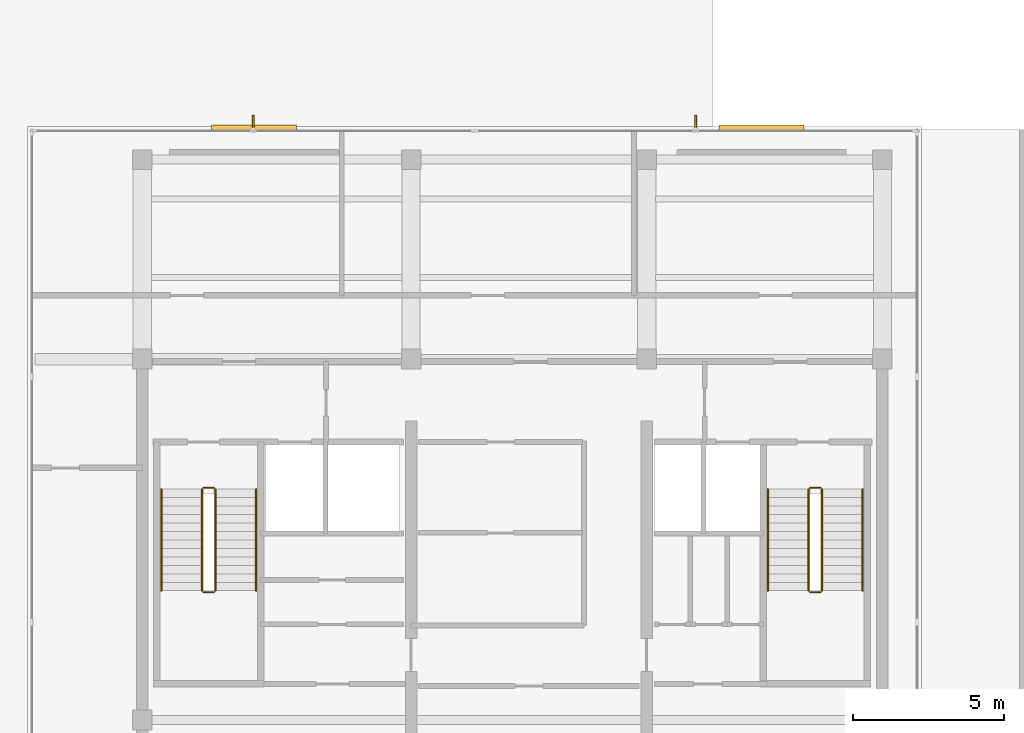
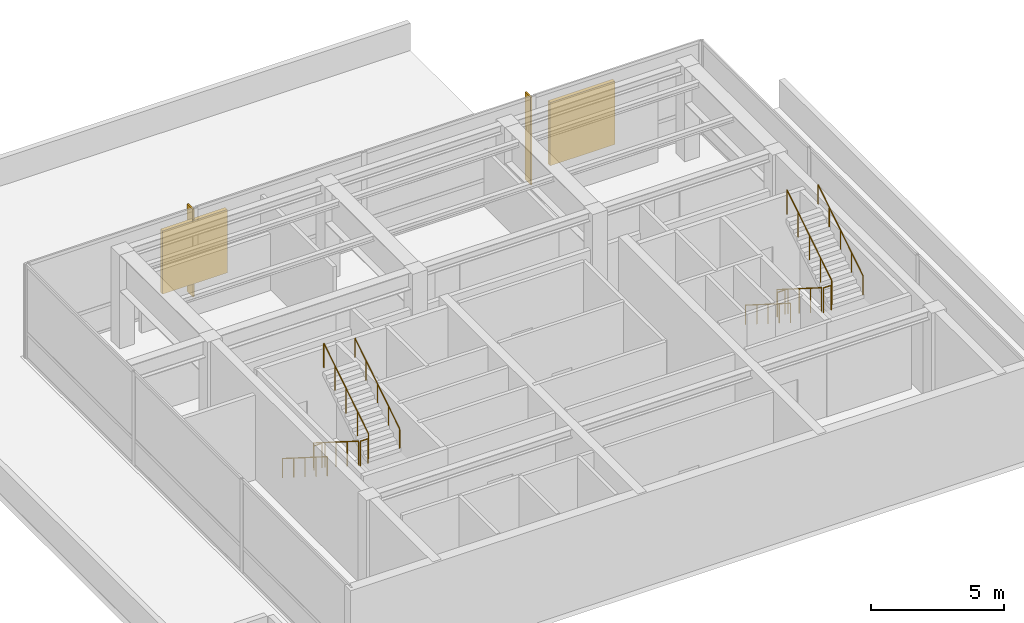
# One storey, part 6 of 6: 12 railings, 4 shading devices.
"""IFC4 building model written with IfcOpenShell, lengths in metres."""

from ifc_helpers import new_model, si_unit, direction, frame, origin, origin_2d, place, context, subcontext, project, spatial, polyline, circle, outline, extrude, material, layer, layer_set, type_object, element, save


model = new_model("IFC4")

# Units and contexts
model_context = context("Model", 3, precision=1e-05, world=origin(), true_north=direction((0.0, 1.0)))
body_context = subcontext(model_context, "Body", "Model", "MODEL_VIEW")
ifc_project = project(units=[si_unit("LENGTHUNIT", "METRE"), si_unit("AREAUNIT", "SQUARE_METRE"), si_unit("VOLUMEUNIT", "CUBIC_METRE"), si_unit("PLANEANGLEUNIT", "RADIAN"), si_unit("MASSUNIT", "GRAM", prefix="KILO")], contexts=[model_context])

# Site, building, storey
site_placement = place(None, origin())
site = spatial("IfcSite", under=ifc_project, at=site_placement, CompositionType="ELEMENT")
building_placement = place(site_placement, origin())
building = spatial("IfcBuilding", under=site, at=building_placement, Name="Qalmaran Belvedere Hotel", CompositionType="ELEMENT")
storey_placement = place(building_placement, frame((0.0, 0.0, 298.699951171875)))
storey = spatial("IfcBuildingStorey", under=building, at=storey_placement, Name="C01", CompositionType="ELEMENT", Elevation=298.699951171875)

# Shading devices
ifc_material_1 = material(Name="Anodised Bronze Aluminium", Category="aluminium")
ifc_layer_1 = layer(ifc_material_1, 0.06494140625, Name="Anodised Bronze Aluminium")
ifc_layer_set_1 = layer_set([ifc_layer_1], Name="Anodised Bronze Aluminium")
shading_device_type_1 = type_object("IfcShadingDeviceType", Name="FIN-BRNZ-420", PredefinedType="USERDEFINED", material=ifc_layer_set_1)
shading_device_1_placement = place(storey_placement, frame((0.0, 0.0, 0.16015625)))
element("IfcShadingDevice", 1, at=shading_device_1_placement, inside=storey, type_object=shading_device_type_1, Name="C01 Bronze Fin 1", ObjectType="FIN", PredefinedType="USERDEFINED", context=body_context, shape_type="SweptSolid", body=[
    extrude(outline(polyline([(38.657470703125, 28.142578125), (38.657470703125, 28.5625), (38.592529296875, 28.5625), (38.592529296875, 28.142578125), (38.657470703125, 28.142578125)])), origin(), (0.0, 0.0, 1.0), 4.019775390625),
])
shading_device_2_placement = place(storey_placement, frame((0.0, 0.0, 0.16015625)))
element("IfcShadingDevice", 2, at=shading_device_2_placement, inside=storey, type_object=shading_device_type_1, Name="C01 Bronze Fin 3", ObjectType="FIN", PredefinedType="USERDEFINED", context=body_context, shape_type="SweptSolid", body=[
    extrude(outline(polyline([(24.007568359375, 28.142578125), (24.007568359375, 28.5625), (23.9423828125, 28.5625), (23.9423828125, 28.142578125), (24.007568359375, 28.142578125)])), origin(), (0.0, 0.0, 1.0), 4.019775390625),
])
ifc_layer_2 = layer(ifc_material_1, 0.159912109375, Name="Anodised Bronze Aluminium")
ifc_layer_set_2 = layer_set([ifc_layer_2], Name="Anodised Bronze Aluminium")
shading_device_type_2 = type_object("IfcShadingDeviceType", Name="LVR-CROWN-160", PredefinedType="JALOUSIE", material=ifc_layer_set_2)
shading_device_3_placement = place(storey_placement, frame((0.0, 0.0, 0.800048828125)))
element("IfcShadingDevice", 3, at=shading_device_3_placement, inside=storey, type_object=shading_device_type_2, Name="C01 Crown Louvre 1", PredefinedType="JALOUSIE", context=body_context, shape_type="SweptSolid", body=[
    extrude(outline(polyline([(22.60009765625, 28.080078125), (25.39990234375, 28.080078125), (25.39990234375, 28.239990234375), (22.60009765625, 28.239990234375), (22.60009765625, 28.080078125)])), origin(), (0.0, 0.0, 1.0), 2.89990234375),
])
shading_device_4_placement = place(storey_placement, frame((0.0, 0.0, 0.800048828125)))
element("IfcShadingDevice", 4, at=shading_device_4_placement, inside=storey, type_object=shading_device_type_2, Name="C01 Crown Louvre 2", PredefinedType="JALOUSIE", context=body_context, shape_type="SweptSolid", body=[
    extrude(outline(polyline([(39.39990234375, 28.080078125), (42.199951171875, 28.080078125), (42.199951171875, 28.239990234375), (39.39990234375, 28.239990234375), (39.39990234375, 28.080078125)])), origin(), (0.0, 0.0, 1.0), 2.89990234375),
])

# Railings
ifc_material_2 = material(Name="Stainless Steel 1.4401", Category="steel")
railing_type_1 = type_object("IfcRailingType", Name="RLG-STAIR-GUARD-1150", PredefinedType="GUARDRAIL", material=ifc_material_2)
railing_1_placement = place(storey_placement, frame((22.280029296875, 16.18994140625, 0.177001953125)))
element("IfcRailing", 5, at=railing_1_placement, inside=storey, type_object=railing_type_1, Name="C01 ST-1 stair guard 1", PredefinedType="GUARDRAIL", context=body_context, shape_type="SweptSolid", body=[
    extrude(circle(Radius=0.02392578125, at=origin_2d()), frame((0.0, 0.0, 1.1259765625), z_axis=(0.0, -0.845372108799, 0.534177870812), x_axis=(1.0, 0.0, 0.0)), (0.0, 0.0, 1.0), 3.974365234375),
    extrude(circle(Radius=0.02099609375, at=origin_2d()), origin(), (0.0, 0.0, 1.0), 1.101806640625),
    extrude(circle(Radius=0.02099609375, at=origin_2d()), frame((0.0, -0.83984375, 0.53076171875)), (0.0, 0.0, 1.0), 1.101806640625),
    extrude(circle(Radius=0.02099609375, at=origin_2d()), frame((0.0, -1.679931640625, 1.0615234375)), (0.0, 0.0, 1.0), 1.101806640625),
    extrude(circle(Radius=0.02099609375, at=origin_2d()), frame((0.0, -2.52001953125, 1.59228515625)), (0.0, 0.0, 1.0), 1.101806640625),
    extrude(circle(Radius=0.02099609375, at=origin_2d()), frame((0.0, -3.35986328125, 2.123046875)), (0.0, 0.0, 1.0), 1.101806640625),
])
railing_2_placement = place(storey_placement, frame((22.330078125, 12.780029296875, 2.300048828125)))
element("IfcRailing", 6, at=railing_2_placement, inside=storey, type_object=railing_type_1, Name="C01 ST-1 stair guard 2", PredefinedType="GUARDRAIL", context=body_context, shape_type="SweptSolid", body=[
    extrude(circle(Radius=0.02392578125, at=origin_2d()), frame((0.0, 0.0, 1.1259765625), z_axis=(1.0, 0.0, 0.0), x_axis=(0.0, 1.0, 0.0)), (0.0, 0.0, 1.0), 0.33984375),
    extrude(circle(Radius=0.02099609375, at=origin_2d()), origin(), (0.0, 0.0, 1.0), 1.101806640625),
    extrude(circle(Radius=0.02099609375, at=origin_2d()), frame((0.33984375, 0.0, 0.0)), (0.0, 0.0, 1.0), 1.101806640625),
])
railing_3_placement = place(storey_placement, frame((22.719970703125, 12.830078125, 2.47705078125)))
element("IfcRailing", 7, at=railing_3_placement, inside=storey, type_object=railing_type_1, Name="C01 ST-1 stair guard 3", PredefinedType="GUARDRAIL", context=body_context, shape_type="SweptSolid", body=[
    extrude(circle(Radius=0.02392578125, at=origin_2d()), frame((0.0, 0.0, 1.1259765625), z_axis=(0.0, 0.845372108799, 0.534177870812), x_axis=(-1.0, 0.0, 0.0)), (0.0, 0.0, 1.0), 3.974365234375),
    extrude(circle(Radius=0.02099609375, at=origin_2d()), origin(), (0.0, 0.0, 1.0), 1.101806640625),
    extrude(circle(Radius=0.02099609375, at=origin_2d()), frame((0.0, 0.83984375, 0.53076171875)), (0.0, 0.0, 1.0), 1.101806640625),
    extrude(circle(Radius=0.02099609375, at=origin_2d()), frame((0.0, 1.679931640625, 1.0615234375)), (0.0, 0.0, 1.0), 1.101806640625),
    extrude(circle(Radius=0.02099609375, at=origin_2d()), frame((0.0, 2.52001953125, 1.59228515625)), (0.0, 0.0, 1.0), 1.101806640625),
    extrude(circle(Radius=0.02099609375, at=origin_2d()), frame((0.0, 3.35986328125, 2.123046875)), (0.0, 0.0, 1.0), 1.101806640625),
])
railing_4_placement = place(storey_placement, frame((22.330078125, 16.239990234375, 0.0)))
element("IfcRailing", 8, at=railing_4_placement, inside=storey, type_object=railing_type_1, Name="C01 ST-1 stair guard 4", PredefinedType="GUARDRAIL", context=body_context, shape_type="SweptSolid", body=[
    extrude(circle(Radius=0.02392578125, at=origin_2d()), frame((0.0, 0.0, 1.1259765625), z_axis=(1.0, 0.0, 0.0), x_axis=(0.0, 1.0, 0.0)), (0.0, 0.0, 1.0), 0.33984375),
    extrude(circle(Radius=0.02099609375, at=origin_2d()), origin(), (0.0, 0.0, 1.0), 1.101806640625),
    extrude(circle(Radius=0.02099609375, at=origin_2d()), frame((0.33984375, 0.0, 0.0)), (0.0, 0.0, 1.0), 1.101806640625),
])
railing_5_placement = place(storey_placement, frame((42.360107421875, 16.18994140625, 0.177001953125)))
element("IfcRailing", 9, at=railing_5_placement, inside=storey, type_object=railing_type_1, Name="C01 ST-2 stair guard 1", PredefinedType="GUARDRAIL", context=body_context, shape_type="SweptSolid", body=[
    extrude(circle(Radius=0.02392578125, at=origin_2d()), frame((0.0, 0.0, 1.1259765625), z_axis=(0.0, -0.845372108799, 0.534177870812), x_axis=(1.0, 0.0, 0.0)), (0.0, 0.0, 1.0), 3.974365234375),
    extrude(circle(Radius=0.02099609375, at=origin_2d()), origin(), (0.0, 0.0, 1.0), 1.101806640625),
    extrude(circle(Radius=0.02099609375, at=origin_2d()), frame((0.0, -0.83984375, 0.53076171875)), (0.0, 0.0, 1.0), 1.101806640625),
    extrude(circle(Radius=0.02099609375, at=origin_2d()), frame((0.0, -1.679931640625, 1.0615234375)), (0.0, 0.0, 1.0), 1.101806640625),
    extrude(circle(Radius=0.02099609375, at=origin_2d()), frame((0.0, -2.52001953125, 1.59228515625)), (0.0, 0.0, 1.0), 1.101806640625),
    extrude(circle(Radius=0.02099609375, at=origin_2d()), frame((0.0, -3.35986328125, 2.123046875)), (0.0, 0.0, 1.0), 1.101806640625),
])
railing_6_placement = place(storey_placement, frame((42.409912109375, 12.780029296875, 2.300048828125)))
element("IfcRailing", 10, at=railing_6_placement, inside=storey, type_object=railing_type_1, Name="C01 ST-2 stair guard 2", PredefinedType="GUARDRAIL", context=body_context, shape_type="SweptSolid", body=[
    extrude(circle(Radius=0.02392578125, at=origin_2d()), frame((0.0, 0.0, 1.1259765625), z_axis=(1.0, 0.0, 0.0), x_axis=(0.0, 1.0, 0.0)), (0.0, 0.0, 1.0), 0.340087890625),
    extrude(circle(Radius=0.02099609375, at=origin_2d()), origin(), (0.0, 0.0, 1.0), 1.101806640625),
    extrude(circle(Radius=0.02099609375, at=origin_2d()), frame((0.340087890625, 0.0, 0.0)), (0.0, 0.0, 1.0), 1.101806640625),
])
railing_7_placement = place(storey_placement, frame((42.800048828125, 12.830078125, 2.47705078125)))
element("IfcRailing", 11, at=railing_7_placement, inside=storey, type_object=railing_type_1, Name="C01 ST-2 stair guard 3", PredefinedType="GUARDRAIL", context=body_context, shape_type="SweptSolid", body=[
    extrude(circle(Radius=0.02392578125, at=origin_2d()), frame((0.0, 0.0, 1.1259765625), z_axis=(0.0, 0.845372108799, 0.534177870812), x_axis=(-1.0, 0.0, 0.0)), (0.0, 0.0, 1.0), 3.974365234375),
    extrude(circle(Radius=0.02099609375, at=origin_2d()), origin(), (0.0, 0.0, 1.0), 1.101806640625),
    extrude(circle(Radius=0.02099609375, at=origin_2d()), frame((0.0, 0.83984375, 0.53076171875)), (0.0, 0.0, 1.0), 1.101806640625),
    extrude(circle(Radius=0.02099609375, at=origin_2d()), frame((0.0, 1.679931640625, 1.0615234375)), (0.0, 0.0, 1.0), 1.101806640625),
    extrude(circle(Radius=0.02099609375, at=origin_2d()), frame((0.0, 2.52001953125, 1.59228515625)), (0.0, 0.0, 1.0), 1.101806640625),
    extrude(circle(Radius=0.02099609375, at=origin_2d()), frame((0.0, 3.35986328125, 2.123046875)), (0.0, 0.0, 1.0), 1.101806640625),
])
railing_8_placement = place(storey_placement, frame((42.409912109375, 16.239990234375, 0.0)))
element("IfcRailing", 12, at=railing_8_placement, inside=storey, type_object=railing_type_1, Name="C01 ST-2 stair guard 4", PredefinedType="GUARDRAIL", context=body_context, shape_type="SweptSolid", body=[
    extrude(circle(Radius=0.02392578125, at=origin_2d()), frame((0.0, 0.0, 1.1259765625), z_axis=(1.0, 0.0, 0.0), x_axis=(0.0, 1.0, 0.0)), (0.0, 0.0, 1.0), 0.340087890625),
    extrude(circle(Radius=0.02099609375, at=origin_2d()), origin(), (0.0, 0.0, 1.0), 1.101806640625),
    extrude(circle(Radius=0.02099609375, at=origin_2d()), frame((0.340087890625, 0.0, 0.0)), (0.0, 0.0, 1.0), 1.101806640625),
])
railing_type_2 = type_object("IfcRailingType", Name="RLG-STAIR-HAND-910", PredefinedType="HANDRAIL", material=ifc_material_2)
railing_9_placement = place(storey_placement, frame((20.929931640625, 16.18994140625, 0.177001953125)))
element("IfcRailing", 13, at=railing_9_placement, inside=storey, type_object=railing_type_2, Name="C01 ST-1 stair handrail 1", PredefinedType="HANDRAIL", context=body_context, shape_type="SweptSolid", body=[
    extrude(circle(Radius=0.02392578125, at=origin_2d()), frame((0.0, 0.0, 0.8857421875), z_axis=(0.0, -0.845372108799, 0.534177870812), x_axis=(1.0, 0.0, 0.0)), (0.0, 0.0, 1.0), 3.974365234375),
    extrude(circle(Radius=0.02099609375, at=origin_2d()), origin(), (0.0, 0.0, 1.0), 0.86181640625),
    extrude(circle(Radius=0.02099609375, at=origin_2d()), frame((0.0, -0.83984375, 0.53076171875)), (0.0, 0.0, 1.0), 0.86181640625),
    extrude(circle(Radius=0.02099609375, at=origin_2d()), frame((0.0, -1.679931640625, 1.0615234375)), (0.0, 0.0, 1.0), 0.86181640625),
    extrude(circle(Radius=0.02099609375, at=origin_2d()), frame((0.0, -2.52001953125, 1.59228515625)), (0.0, 0.0, 1.0), 0.86181640625),
    extrude(circle(Radius=0.02099609375, at=origin_2d()), frame((0.0, -3.35986328125, 2.123046875)), (0.0, 0.0, 1.0), 0.86181640625),
])
railing_10_placement = place(storey_placement, frame((24.070068359375, 12.830078125, 2.47705078125)))
element("IfcRailing", 14, at=railing_10_placement, inside=storey, type_object=railing_type_2, Name="C01 ST-1 stair handrail 2", PredefinedType="HANDRAIL", context=body_context, shape_type="SweptSolid", body=[
    extrude(circle(Radius=0.02392578125, at=origin_2d()), frame((0.0, 0.0, 0.8857421875), z_axis=(0.0, 0.845372108799, 0.534177870812), x_axis=(-1.0, 0.0, 0.0)), (0.0, 0.0, 1.0), 3.974365234375),
    extrude(circle(Radius=0.02099609375, at=origin_2d()), origin(), (0.0, 0.0, 1.0), 0.86181640625),
    extrude(circle(Radius=0.02099609375, at=origin_2d()), frame((0.0, 0.83984375, 0.53076171875)), (0.0, 0.0, 1.0), 0.86181640625),
    extrude(circle(Radius=0.02099609375, at=origin_2d()), frame((0.0, 1.679931640625, 1.0615234375)), (0.0, 0.0, 1.0), 0.86181640625),
    extrude(circle(Radius=0.02099609375, at=origin_2d()), frame((0.0, 2.52001953125, 1.59228515625)), (0.0, 0.0, 1.0), 0.86181640625),
    extrude(circle(Radius=0.02099609375, at=origin_2d()), frame((0.0, 3.35986328125, 2.123046875)), (0.0, 0.0, 1.0), 0.86181640625),
])
railing_11_placement = place(storey_placement, frame((41.010009765625, 16.18994140625, 0.177001953125)))
element("IfcRailing", 15, at=railing_11_placement, inside=storey, type_object=railing_type_2, Name="C01 ST-2 stair handrail 1", PredefinedType="HANDRAIL", context=body_context, shape_type="SweptSolid", body=[
    extrude(circle(Radius=0.02392578125, at=origin_2d()), frame((0.0, 0.0, 0.8857421875), z_axis=(0.0, -0.845372108799, 0.534177870812), x_axis=(1.0, 0.0, 0.0)), (0.0, 0.0, 1.0), 3.974365234375),
    extrude(circle(Radius=0.02099609375, at=origin_2d()), origin(), (0.0, 0.0, 1.0), 0.86181640625),
    extrude(circle(Radius=0.02099609375, at=origin_2d()), frame((0.0, -0.83984375, 0.53076171875)), (0.0, 0.0, 1.0), 0.86181640625),
    extrude(circle(Radius=0.02099609375, at=origin_2d()), frame((0.0, -1.679931640625, 1.0615234375)), (0.0, 0.0, 1.0), 0.86181640625),
    extrude(circle(Radius=0.02099609375, at=origin_2d()), frame((0.0, -2.52001953125, 1.59228515625)), (0.0, 0.0, 1.0), 0.86181640625),
    extrude(circle(Radius=0.02099609375, at=origin_2d()), frame((0.0, -3.35986328125, 2.123046875)), (0.0, 0.0, 1.0), 0.86181640625),
])
railing_12_placement = place(storey_placement, frame((44.14990234375, 12.830078125, 2.47705078125)))
element("IfcRailing", 16, at=railing_12_placement, inside=storey, type_object=railing_type_2, Name="C01 ST-2 stair handrail 2", PredefinedType="HANDRAIL", context=body_context, shape_type="SweptSolid", body=[
    extrude(circle(Radius=0.02392578125, at=origin_2d()), frame((0.0, 0.0, 0.8857421875), z_axis=(0.0, 0.845372108799, 0.534177870812), x_axis=(-1.0, 0.0, 0.0)), (0.0, 0.0, 1.0), 3.974365234375),
    extrude(circle(Radius=0.02099609375, at=origin_2d()), origin(), (0.0, 0.0, 1.0), 0.86181640625),
    extrude(circle(Radius=0.02099609375, at=origin_2d()), frame((0.0, 0.83984375, 0.53076171875)), (0.0, 0.0, 1.0), 0.86181640625),
    extrude(circle(Radius=0.02099609375, at=origin_2d()), frame((0.0, 1.679931640625, 1.0615234375)), (0.0, 0.0, 1.0), 0.86181640625),
    extrude(circle(Radius=0.02099609375, at=origin_2d()), frame((0.0, 2.52001953125, 1.59228515625)), (0.0, 0.0, 1.0), 0.86181640625),
    extrude(circle(Radius=0.02099609375, at=origin_2d()), frame((0.0, 3.35986328125, 2.123046875)), (0.0, 0.0, 1.0), 0.86181640625),
])

save(model, "model.ifc")
